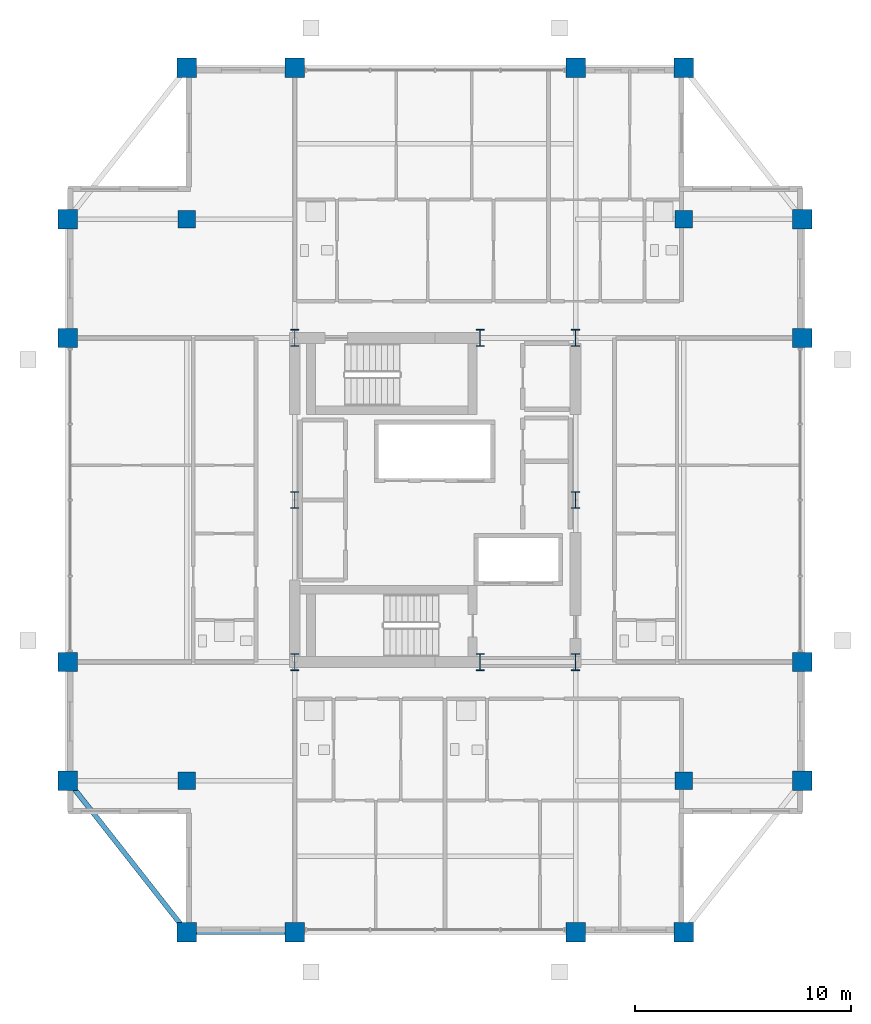
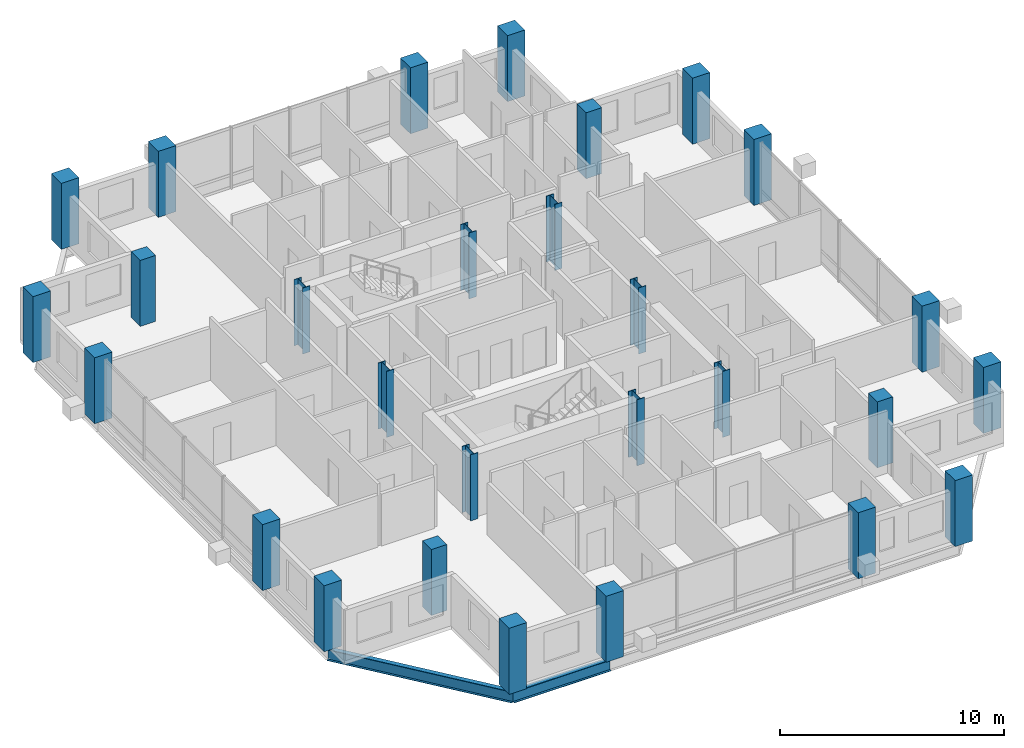
# One storey, part 1 of 22: 28 columns, 2 beams.
"""IFC4 building model written with IfcOpenShell, lengths in metres."""

from ifc_helpers import new_model, si_unit, direction, frame, origin, origin_2d, place, context, subcontext, project, spatial, rectangle, i_section, extrude, material, material_profile, profile_set, type_object, element, save


model = new_model("IFC4")

# Units and contexts
model_context = context("Model", 3, precision=1e-05, world=origin(), true_north=direction((0.0, 1.0)))
body_context = subcontext(model_context, "Body", "Model", "MODEL_VIEW")
ifc_project = project(units=[si_unit("LENGTHUNIT", "METRE"), si_unit("AREAUNIT", "SQUARE_METRE"), si_unit("VOLUMEUNIT", "CUBIC_METRE"), si_unit("PLANEANGLEUNIT", "RADIAN"), si_unit("MASSUNIT", "GRAM", prefix="KILO")], contexts=[model_context])

# Site, building, storey
site_placement = place(None, origin())
site = spatial("IfcSite", under=ifc_project, at=site_placement, CompositionType="ELEMENT")
building_placement = place(site_placement, origin())
building = spatial("IfcBuilding", under=site, at=building_placement, Name="Barlavira Tower and Art Museum", CompositionType="ELEMENT")
storey_placement = place(building_placement, frame((0.0, 0.0, 243.89990234375)))
storey = spatial("IfcBuildingStorey", under=building, at=storey_placement, Name="L63", CompositionType="ELEMENT", Elevation=243.89990234375)

# Columns
ifc_material_1 = material(Name="Steel S355", Category="steel")
ifc_material_profile_1 = material_profile(ifc_material_1, i_section(OverallWidth=0.382080078125, OverallDepth=0.785888671875, WebThickness=0.02001953125, FlangeThickness=0.032958984375, at=origin_2d()), Name="W760x314.0")
ifc_profile_set_1 = profile_set([ifc_material_profile_1], Name="Steel S355")
column_type_1 = type_object("IfcColumnType", Name="Core Composite Column W760x314 Steel S355", PredefinedType="COLUMN", material=ifc_profile_set_1)
for number, where, z_axis, x_axis, name in (
    (1, (-6.5, -7.5, 0.0), (0.0, 0.0, 1.0), (1.0, 0.0, 0.0), "L63 Column CC-L63-C1"),
    (2, (2.080078125, -7.5, 0.0), (0.0, 0.0, 1.0), (1.0, 0.0, 0.0), "L63 Column CC-L63-C2"),
    (3, (6.5, -7.5, 0.0), (0.0, 0.0, 1.0), (1.0, 0.0, 0.0), "L63 Column CC-L63-C3"),
    (4, (-6.5, 0.0, 0.0), (0.0, 0.0, 1.0), (1.0, 0.0, 0.0), "L63 Column CC-L63-C4"),
    (5, (6.5, 0.0, 0.0), (0.0, 0.0, 1.0), (1.0, 0.0, 0.0), "L63 Column CC-L63-C5"),
    (6, (-6.5, 7.5, 0.0), (0.0, 0.0, 1.0), (1.0, 0.0, 0.0), "L63 Column CC-L63-C6"),
    (7, (2.080078125, 7.5, 0.0), (0.0, 0.0, 1.0), (1.0, 0.0, 0.0), "L63 Column CC-L63-C7"),
    (8, (6.5, 7.5, 0.0), (0.0, 0.0, 1.0), (1.0, 0.0, 0.0), "L63 Column CC-L63-C8"),
):
    element("IfcColumn", number, at=place(storey_placement, frame(where, z_axis=z_axis, x_axis=x_axis)), inside=storey, type_object=column_type_1, Name=name, PredefinedType="COLUMN", context=body_context, shape_type="SweptSolid", body=[
        extrude(i_section(OverallWidth=0.382080078125, OverallDepth=0.785888671875, WebThickness=0.02001953125, FlangeThickness=0.032958984375, at=origin_2d()), origin(), (0.0, 0.0, 1.0), 3.60009765625),
    ])
ifc_material_2 = material(Name="Concrete C50", Category="concrete")
ifc_material_profile_2 = material_profile(ifc_material_2, rectangle(XDim=0.89990234375, YDim=0.89990234375, at=origin_2d()), Name="RC-COL 900x900")
ifc_profile_set_2 = profile_set([ifc_material_profile_2], Name="Concrete C50")
column_type_2 = type_object("IfcColumnType", Name="Perimeter Mega Column 900x900 Concrete C50", PredefinedType="USERDEFINED", material=ifc_profile_set_2)
for number, where, z_axis, x_axis, name in (
    (9, (-11.5, -20.0, 0.0), (0.0, 0.0, 1.0), (1.0, 0.0, 0.0), "L63 Column MC-L63-M01"),
    (10, (-6.5, -20.0, 0.0), (0.0, 0.0, 1.0), (1.0, 0.0, 0.0), "L63 Column MC-L63-M02"),
    (11, (6.5, -20.0, 0.0), (0.0, 0.0, 1.0), (1.0, 0.0, 0.0), "L63 Column MC-L63-M03"),
    (12, (11.5, -20.0, 0.0), (0.0, 0.0, 1.0), (1.0, 0.0, 0.0), "L63 Column MC-L63-M04"),
    (13, (17.0, -13.0, 0.0), (0.0, 0.0, 1.0), (1.0, 0.0, 0.0), "L63 Column MC-L63-M05"),
    (14, (17.0, -7.5, 0.0), (0.0, 0.0, 1.0), (1.0, 0.0, 0.0), "L63 Column MC-L63-M06"),
    (15, (17.0, 7.5, 0.0), (0.0, 0.0, 1.0), (1.0, 0.0, 0.0), "L63 Column MC-L63-M07"),
    (16, (17.0, 13.0, 0.0), (0.0, 0.0, 1.0), (1.0, 0.0, 0.0), "L63 Column MC-L63-M08"),
    (17, (11.5, 20.0, 0.0), (0.0, 0.0, 1.0), (1.0, 0.0, 0.0), "L63 Column MC-L63-M09"),
    (18, (6.5, 20.0, 0.0), (0.0, 0.0, 1.0), (1.0, 0.0, 0.0), "L63 Column MC-L63-M10"),
    (19, (-6.5, 20.0, 0.0), (0.0, 0.0, 1.0), (1.0, 0.0, 0.0), "L63 Column MC-L63-M11"),
    (20, (-11.5, 20.0, 0.0), (0.0, 0.0, 1.0), (1.0, 0.0, 0.0), "L63 Column MC-L63-M12"),
    (21, (-17.0, 13.0, 0.0), (0.0, 0.0, 1.0), (1.0, 0.0, 0.0), "L63 Column MC-L63-M13"),
    (22, (-17.0, 7.5, 0.0), (0.0, 0.0, 1.0), (1.0, 0.0, 0.0), "L63 Column MC-L63-M14"),
    (23, (-17.0, -7.5, 0.0), (0.0, 0.0, 1.0), (1.0, 0.0, 0.0), "L63 Column MC-L63-M15"),
    (24, (-17.0, -13.0, 0.0), (0.0, 0.0, 1.0), (1.0, 0.0, 0.0), "L63 Column MC-L63-M16"),
):
    element("IfcColumn", number, at=place(storey_placement, frame(where, z_axis=z_axis, x_axis=x_axis)), inside=storey, type_object=column_type_2, Name=name, ObjectType="MEGA COLUMN", PredefinedType="USERDEFINED", context=body_context, shape_type="SweptSolid", body=[
        extrude(rectangle(XDim=0.89990234375, YDim=0.89990234375, at=origin_2d()), origin(), (0.0, 0.0, 1.0), 3.60009765625),
    ])
ifc_material_profile_3 = material_profile(ifc_material_2, rectangle(XDim=0.800048828125, YDim=0.800048828125, at=origin_2d()), Name="RC-COL 800x800")
ifc_profile_set_3 = profile_set([ifc_material_profile_3], Name="Concrete C50")
column_type_3 = type_object("IfcColumnType", Name="Podium Frame Column 800x800 Concrete C50", PredefinedType="COLUMN", material=ifc_profile_set_3)
for number, where, z_axis, x_axis, name in (
    (25, (-11.5, -13.0, 0.0), (0.0, 0.0, 1.0), (1.0, 0.0, 0.0), "L63 Column CI-L63-I1"),
    (26, (11.5, -13.0, 0.0), (0.0, 0.0, 1.0), (1.0, 0.0, 0.0), "L63 Column CI-L63-I2"),
    (27, (-11.5, 13.0, 0.0), (0.0, 0.0, 1.0), (1.0, 0.0, 0.0), "L63 Column CI-L63-I3"),
    (28, (11.5, 13.0, 0.0), (0.0, 0.0, 1.0), (1.0, 0.0, 0.0), "L63 Column CI-L63-I4"),
):
    element("IfcColumn", number, at=place(storey_placement, frame(where, z_axis=z_axis, x_axis=x_axis)), inside=storey, type_object=column_type_3, Name=name, PredefinedType="COLUMN", context=body_context, shape_type="SweptSolid", body=[
        extrude(rectangle(XDim=0.800048828125, YDim=0.800048828125, at=origin_2d()), origin(), (0.0, 0.0, 1.0), 3.60009765625),
    ])

# Beams
ifc_material_profile_4 = material_profile(ifc_material_1, i_section(OverallWidth=0.22998046875, OverallDepth=0.616943359375, WebThickness=0.01318359375, FlangeThickness=0.022216796875, at=origin_2d()), Name="W610x140.0")
ifc_profile_set_4 = profile_set([ifc_material_profile_4], Name="Steel S355")
beam_type = type_object("IfcBeamType", Name="Upper Shaft Spandrel Edge Beam W610x140 Steel S355", PredefinedType="SPANDREL", material=ifc_profile_set_4)
beam_1_placement = place(storey_placement, frame((-11.5, -20.0, -0.5283203125), z_axis=(1.0, 0.0, 0.0), x_axis=(0.0, 1.0, 0.0)))
element("IfcBeam", 29, at=beam_1_placement, inside=storey, type_object=beam_type, Name="L63 Spandrel 1", PredefinedType="SPANDREL", context=body_context, shape_type="SweptSolid", body=[
    extrude(i_section(OverallWidth=0.22998046875, OverallDepth=0.616943359375, WebThickness=0.01318359375, FlangeThickness=0.022216796875, at=origin_2d()), origin(), (0.0, 0.0, 1.0), 5.0),
])
beam_2_placement = place(storey_placement, frame((-17.0, -13.0, -0.5283203125), z_axis=(0.617821551932, -0.786318338822, 0.0), x_axis=(0.786318338822, 0.617821551932, 0.0)))
element("IfcBeam", 30, at=beam_2_placement, inside=storey, type_object=beam_type, Name="L63 Spandrel 16", PredefinedType="SPANDREL", context=body_context, shape_type="SweptSolid", body=[
    extrude(i_section(OverallWidth=0.22998046875, OverallDepth=0.616943359375, WebThickness=0.01318359375, FlangeThickness=0.022216796875, at=origin_2d()), origin(), (0.0, 0.0, 1.0), 8.90234375),
])

save(model, "model.ifc")
